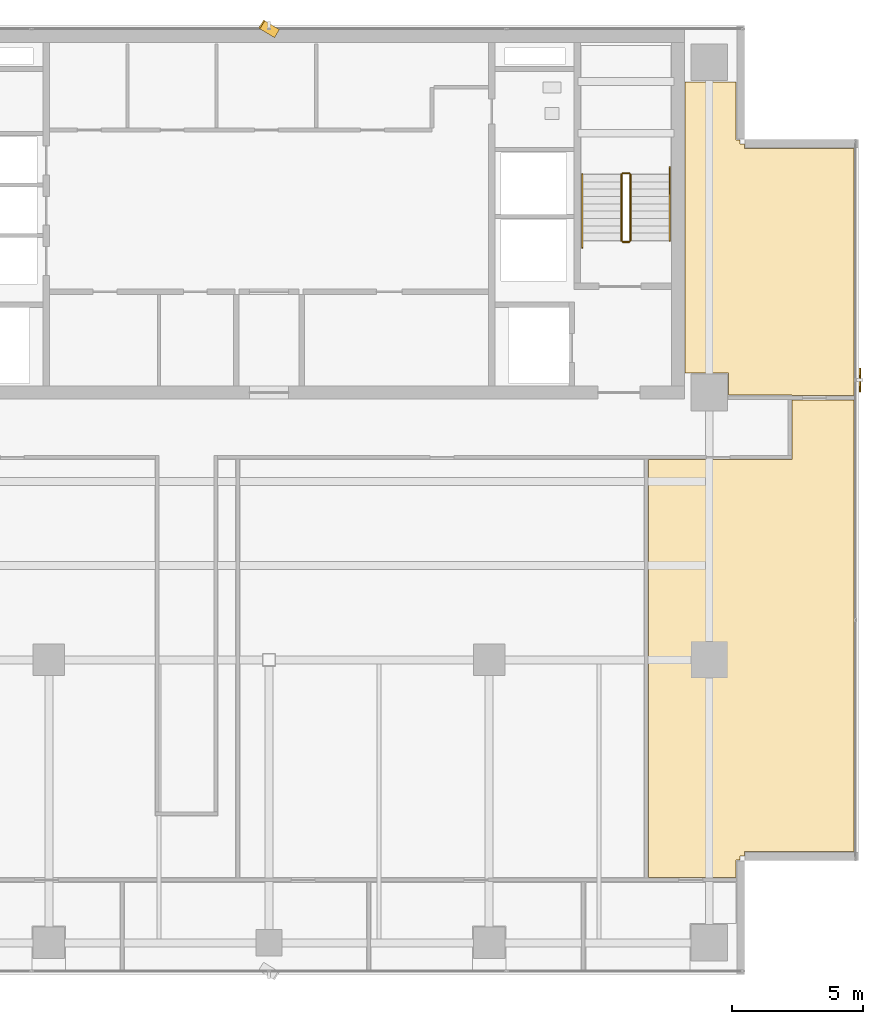
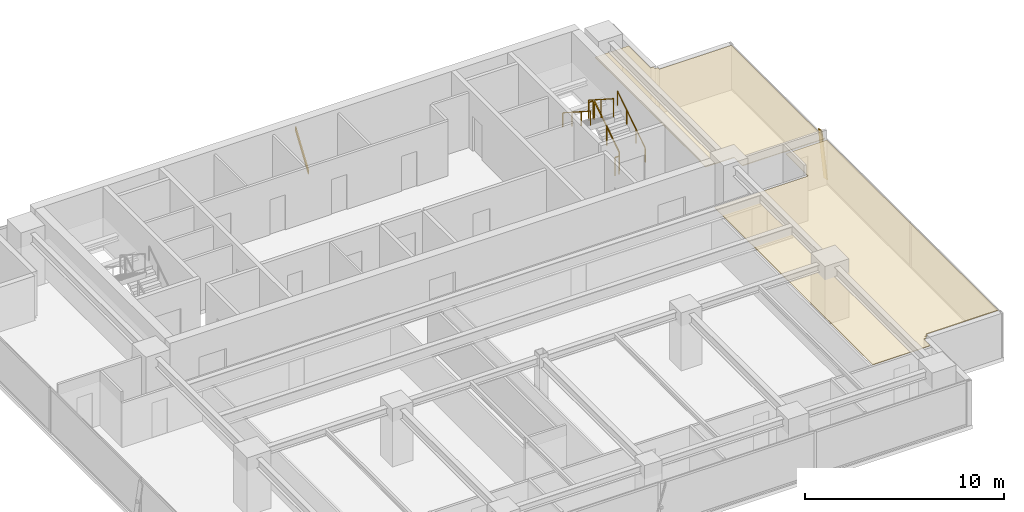
# One storey, part 24 of 25: 6 railings, 2 coverings, 2 shading devices.
"""IFC4 building model written with IfcOpenShell, lengths in metres."""

from ifc_helpers import new_model, si_unit, direction, frame, origin, origin_2d, place, context, subcontext, project, spatial, polyline, rectangle, outline, extrude, source, transform, mapped, material, layer, layer_set, material_profile, profile_set, type_object, element, save


model = new_model("IFC4")

# Units and contexts
model_context = context("Model", 3, precision=1e-05, world=origin(), true_north=direction((0.0, 1.0)))
body_context = subcontext(model_context, "Body", "Model", "MODEL_VIEW")
ifc_project = project(units=[si_unit("LENGTHUNIT", "METRE"), si_unit("AREAUNIT", "SQUARE_METRE"), si_unit("VOLUMEUNIT", "CUBIC_METRE"), si_unit("PLANEANGLEUNIT", "RADIAN"), si_unit("MASSUNIT", "GRAM", prefix="KILO")], contexts=[model_context])

# Site, building, storey
site_placement = place(None, origin())
site = spatial("IfcSite", under=ifc_project, at=site_placement, CompositionType="ELEMENT")
building_placement = place(site_placement, origin())
building = spatial("IfcBuilding", under=site, at=building_placement, Name="Sumidabori Civic Tower", CompositionType="ELEMENT")
storey_placement = place(building_placement, frame((0.0, 0.0, 239.60009765625)))
storey = spatial("IfcBuildingStorey", under=building, at=storey_placement, Name="L62", CompositionType="ELEMENT", Elevation=239.60009765625)

# Coverings
ifc_material_1 = material(Name="Perforated Timber Acoustic Ceiling", Category="wood")
ifc_layer = layer(ifc_material_1, 0.044921875, Name="Perforated Timber Acoustic Ceiling")
ifc_layer_set = layer_set([ifc_layer], Name="Perforated Timber Acoustic Ceiling")
covering_type = type_object("IfcCoveringType", Name="CV-CEIL-AC2", PredefinedType="CEILING", material=ifc_layer_set)
covering_1_placement = place(storey_placement, frame((0.0, 0.0, 2.719970703125)))
element("IfcCovering", 1, at=covering_1_placement, inside=storey, type_object=covering_type, Name="Room Acoustic Ceiling L62-02", PredefinedType="CEILING", context=body_context, shape_type="SweptSolid", body=[
    extrude(outline(polyline([(17.822021484375, 22.06005859375), (17.822021484375, 19.842041015625), (17.97998046875, 19.842041015625), (17.97998046875, 19.679931640625), (18.14208984375, 19.679931640625), (18.14208984375, 19.52197265625), (22.330078125, 19.52197265625), (22.330078125, 10.08740234375), (19.955078125, 10.08740234375), (19.955078125, 10.10498046875), (17.5400390625, 10.10498046875), (17.5400390625, 10.93994140625), (15.8779296875, 10.93994140625), (15.8779296875, 22.06005859375), (17.822021484375, 22.06005859375)])), origin(), (0.0, 0.0, 1.0), 0.044921875),
])
covering_2_placement = place(storey_placement, frame((0.0, 0.0, 2.719970703125)))
element("IfcCovering", 2, at=covering_2_placement, inside=storey, type_object=covering_type, Name="Room Acoustic Ceiling L62-04", PredefinedType="CEILING", context=body_context, shape_type="SweptSolid", body=[
    extrude(outline(polyline([(17.822021484375, -8.3125), (14.487548828125, -8.3125), (14.487548828125, 7.64501953125), (19.955078125, 7.64501953125), (19.955078125, 9.91259765625), (22.330078125, 9.91259765625), (22.330078125, -7.322021484375), (18.14208984375, -7.322021484375), (18.14208984375, -7.47998046875), (17.97998046875, -7.47998046875), (17.97998046875, -7.64208984375), (17.822021484375, -7.64208984375), (17.822021484375, -8.3125)])), origin(), (0.0, 0.0, 1.0), 0.044921875),
])

# Railings
ifc_material_2 = material(Name="Stainless Steel Hairline Finish", Category="steel")
railing_type_1 = type_object("IfcRailingType", Name="RL-HANDRAIL", PredefinedType="HANDRAIL", material=ifc_material_2)
railing_1_placement = place(storey_placement, frame((15.2900390625, 16.0, 0.179931640625)))
element("IfcRailing", 3, at=railing_1_placement, inside=storey, type_object=railing_type_1, Name="L62 ST-2 stair handrail 1", PredefinedType="HANDRAIL", context=body_context, shape_type="SweptSolid", body=[
    extrude(rectangle(XDim=0.048095703125, YDim=0.048095703125, at=origin_2d()), frame((0.0, 0.0, 0.8759765625), z_axis=(0.0, 0.840675598268, 0.541539046124), x_axis=(-1.0, 0.0, 0.0)), (0.0, 0.0, 1.0), 3.330810546875),
    extrude(rectangle(XDim=0.0419921875, YDim=0.0419921875, at=origin_2d()), origin(), (0.0, 0.0, 1.0), 0.851806640625),
    extrude(rectangle(XDim=0.0419921875, YDim=0.0419921875, at=origin_2d()), frame((0.0, 0.933349609375, 0.601318359375)), (0.0, 0.0, 1.0), 0.851806640625),
    extrude(rectangle(XDim=0.0419921875, YDim=0.0419921875, at=origin_2d()), frame((0.0, 1.86669921875, 1.202392578125)), (0.0, 0.0, 1.0), 0.851806640625),
    extrude(rectangle(XDim=0.0419921875, YDim=0.0419921875, at=origin_2d()), frame((0.0, 2.800048828125, 1.8037109375)), (0.0, 0.0, 1.0), 0.851806640625),
])
railing_2_placement = place(storey_placement, frame((11.949951171875, 18.52001953125, 1.97998046875)))
element("IfcRailing", 4, at=railing_2_placement, inside=storey, type_object=railing_type_1, Name="L62 ST-2 stair handrail 2", PredefinedType="HANDRAIL", context=body_context, shape_type="SweptSolid", body=[
    extrude(rectangle(XDim=0.048095703125, YDim=0.048095703125, at=origin_2d()), frame((0.0, 0.0, 0.8759765625), z_axis=(0.0, -0.840675598268, 0.541539046124), x_axis=(1.0, 0.0, 0.0)), (0.0, 0.0, 1.0), 3.330810546875),
    extrude(rectangle(XDim=0.0419921875, YDim=0.0419921875, at=origin_2d()), origin(), (0.0, 0.0, 1.0), 0.851806640625),
    extrude(rectangle(XDim=0.0419921875, YDim=0.0419921875, at=origin_2d()), frame((0.0, -0.933349609375, 0.601318359375)), (0.0, 0.0, 1.0), 0.851806640625),
    extrude(rectangle(XDim=0.0419921875, YDim=0.0419921875, at=origin_2d()), frame((0.0, -1.86669921875, 1.202392578125)), (0.0, 0.0, 1.0), 0.851806640625),
    extrude(rectangle(XDim=0.0419921875, YDim=0.0419921875, at=origin_2d()), frame((0.0, -2.800048828125, 1.8037109375)), (0.0, 0.0, 1.0), 0.851806640625),
])
ifc_material_3 = material(Name="Steel SN490", Category="steel")
railing_type_2 = type_object("IfcRailingType", Name="RL-STAIR-GUARD", PredefinedType="GUARDRAIL", material=ifc_material_3)
railing_3_placement = place(storey_placement, frame((13.7900390625, 16.0, 0.179931640625)))
element("IfcRailing", 5, at=railing_3_placement, inside=storey, type_object=railing_type_2, Name="L62 ST-2 stair guard 1", PredefinedType="GUARDRAIL", context=body_context, shape_type="SweptSolid", body=[
    extrude(rectangle(XDim=0.048095703125, YDim=0.048095703125, at=origin_2d()), frame((0.0, 0.0, 1.1259765625), z_axis=(0.0, 0.841199657755, 0.540724639528), x_axis=(-1.0, 0.0, 0.0)), (0.0, 0.0, 1.0), 2.995849609375),
    extrude(rectangle(XDim=0.0419921875, YDim=0.0419921875, at=origin_2d()), origin(), (0.0, 0.0, 1.0), 1.101806640625),
    extrude(rectangle(XDim=0.0419921875, YDim=0.0419921875, at=origin_2d()), frame((0.0, 1.260009765625, 0.81005859375)), (0.0, 0.0, 1.0), 1.101806640625),
    extrude(rectangle(XDim=0.0419921875, YDim=0.0419921875, at=origin_2d()), frame((0.0, 2.52001953125, 1.619873046875)), (0.0, 0.0, 1.0), 1.101806640625),
])
railing_4_placement = place(storey_placement, frame((13.739990234375, 18.570068359375, 1.7998046875)))
element("IfcRailing", 6, at=railing_4_placement, inside=storey, type_object=railing_type_2, Name="L62 ST-2 stair guard 2", PredefinedType="GUARDRAIL", context=body_context, shape_type="SweptSolid", body=[
    extrude(rectangle(XDim=0.048095703125, YDim=0.048095703125, at=origin_2d()), frame((0.0, 0.0, 1.1259765625), z_axis=(-1.0, 0.0, 0.0), x_axis=(0.0, -1.0, 0.0)), (0.0, 0.0, 1.0), 0.239990234375),
    extrude(rectangle(XDim=0.0419921875, YDim=0.0419921875, at=origin_2d()), origin(), (0.0, 0.0, 1.0), 1.101806640625),
    extrude(rectangle(XDim=0.0419921875, YDim=0.0419921875, at=origin_2d()), frame((-0.239990234375, 0.0, 0.0)), (0.0, 0.0, 1.0), 1.101806640625),
])
railing_5_placement = place(storey_placement, frame((13.449951171875, 18.52001953125, 1.97998046875)))
element("IfcRailing", 7, at=railing_5_placement, inside=storey, type_object=railing_type_2, Name="L62 ST-2 stair guard 3", PredefinedType="GUARDRAIL", context=body_context, shape_type="SweptSolid", body=[
    extrude(rectangle(XDim=0.048095703125, YDim=0.048095703125, at=origin_2d()), frame((0.0, 0.0, 1.1259765625), z_axis=(0.0, -0.841199657755, 0.540724639528), x_axis=(1.0, 0.0, 0.0)), (0.0, 0.0, 1.0), 2.995849609375),
    extrude(rectangle(XDim=0.0419921875, YDim=0.0419921875, at=origin_2d()), origin(), (0.0, 0.0, 1.0), 1.101806640625),
    extrude(rectangle(XDim=0.0419921875, YDim=0.0419921875, at=origin_2d()), frame((0.0, -1.260009765625, 0.81005859375)), (0.0, 0.0, 1.0), 1.101806640625),
    extrude(rectangle(XDim=0.0419921875, YDim=0.0419921875, at=origin_2d()), frame((0.0, -2.52001953125, 1.619873046875)), (0.0, 0.0, 1.0), 1.101806640625),
])
railing_6_placement = place(storey_placement, frame((13.739990234375, 15.949951171875, 0.0)))
element("IfcRailing", 8, at=railing_6_placement, inside=storey, type_object=railing_type_2, Name="L62 ST-2 stair guard 4", PredefinedType="GUARDRAIL", context=body_context, shape_type="SweptSolid", body=[
    extrude(rectangle(XDim=0.048095703125, YDim=0.048095703125, at=origin_2d()), frame((0.0, 0.0, 1.1259765625), z_axis=(-1.0, 0.0, 0.0), x_axis=(0.0, -1.0, 0.0)), (0.0, 0.0, 1.0), 0.239990234375),
    extrude(rectangle(XDim=0.0419921875, YDim=0.0419921875, at=origin_2d()), origin(), (0.0, 0.0, 1.0), 1.101806640625),
    extrude(rectangle(XDim=0.0419921875, YDim=0.0419921875, at=origin_2d()), frame((-0.239990234375, 0.0, 0.0)), (0.0, 0.0, 1.0), 1.101806640625),
])

# Shading devices
ifc_material_4 = material(Name="Anodised Bronze Aluminium AW-6063-T6", Category="aluminium")
ifc_material_profile = material_profile(ifc_material_4, rectangle(XDim=0.054931640625, YDim=0.360107421875, at=origin_2d()), Name="BRONZE FIN 360x55")
ifc_profile_set = profile_set([ifc_material_profile], Name="Anodised Bronze Aluminium AW-6063-T6")
shading_device_type = type_object("IfcShadingDeviceType", Name="SH-FIN-360", PredefinedType="USERDEFINED", material=ifc_profile_set)
shared_shape_1 = source(origin(), body_context, "Body", "SweptSolid", [
    extrude(rectangle(XDim=0.054931640625, YDim=0.360107421875, at=origin_2d()), origin(), (0.0, 0.0, 1.0), 2.7685546875),
])
shading_device_1_placement = place(storey_placement, frame((0.280029296875, 23.909912109375, 0.02001953125), z_axis=(-0.202289930374, 0.122837782481, 0.971591304646), x_axis=(0.830469701518, -0.504291322674, 0.236665030656)))
element("IfcShadingDevice", 9, at=shading_device_1_placement, inside=storey, type_object=shading_device_type, Name="Bronze Anodised Diagonal Fin L62-02", ObjectType="FIN", PredefinedType="USERDEFINED", context=body_context, shape_type="MappedRepresentation", body=[
    mapped(shared_shape_1, transform((0.0, 0.0, 0.0), x_axis=(1.0, 0.0, 0.0), y_axis=(0.0, 1.0, 0.0), z_axis=(0.0, 0.0, 1.0), scale=1.0)),
])
shared_shape_2 = source(origin(), body_context, "Body", "SweptSolid", [
    extrude(rectangle(XDim=0.054931640625, YDim=0.360107421875, at=origin_2d()), origin(), (0.0, 0.0, 1.0), 2.74755859375),
])
shading_device_2_placement = place(storey_placement, frame((22.550048828125, 10.393310546875, 0.02001953125), z_axis=(0.0, 0.20383361069, 0.979005546028), x_axis=(-1.0, 0.0, 0.0)))
element("IfcShadingDevice", 10, at=shading_device_2_placement, inside=storey, type_object=shading_device_type, Name="Bronze Anodised Diagonal Fin L62-02", ObjectType="FIN", PredefinedType="USERDEFINED", context=body_context, shape_type="MappedRepresentation", body=[
    mapped(shared_shape_2, transform((0.0, 0.0, 0.0), x_axis=(1.0, 0.0, 0.0), y_axis=(0.0, 1.0, 0.0), z_axis=(0.0, 0.0, 1.0), scale=1.0)),
])

save(model, "model.ifc")
